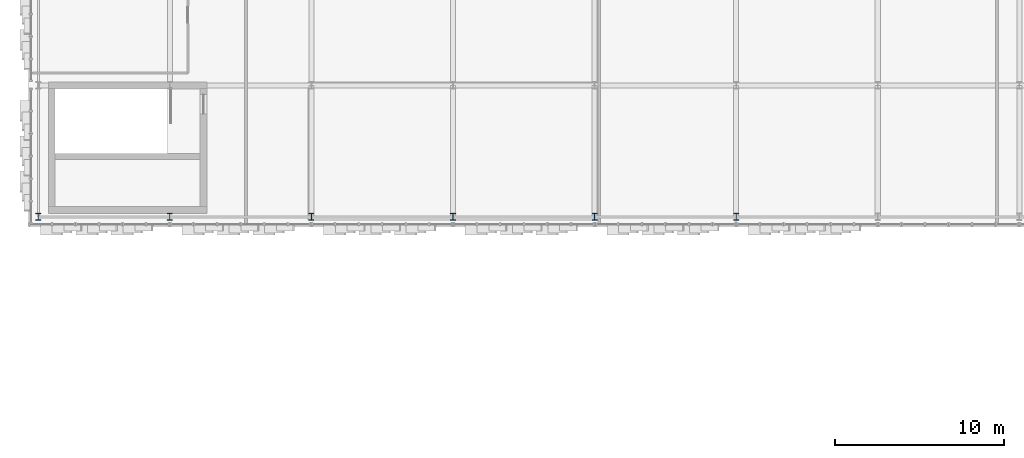
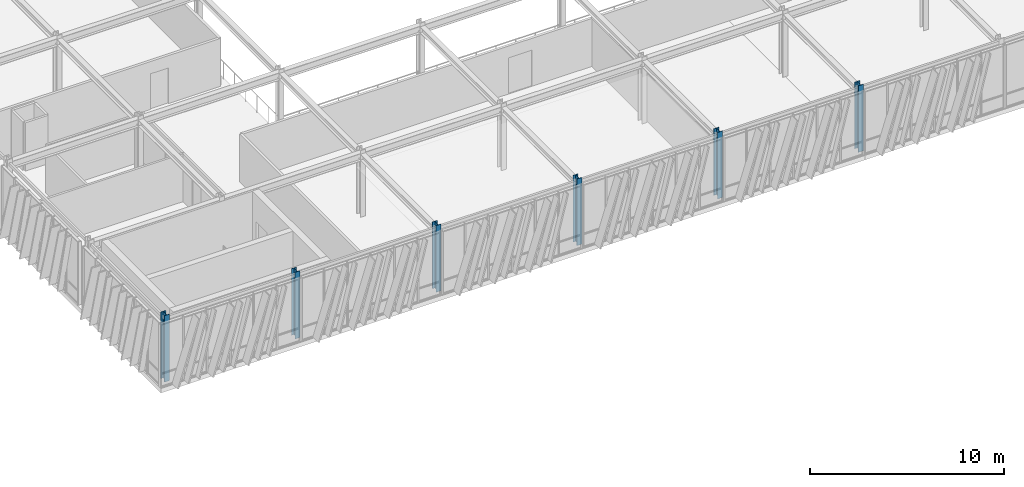
# One storey, part 2 of 123: 6 columns.
"""IFC4 building model written with IfcOpenShell, lengths in metres."""

from ifc_helpers import new_model, si_unit, direction, frame, origin, origin_2d, place, context, subcontext, project, spatial, i_section, extrude, material, material_profile, profile_set, type_object, element, save


model = new_model("IFC4")

# Units and contexts
model_context = context("Model", 3, precision=1e-05, world=origin(), true_north=direction((0.0, 1.0)))
body_context = subcontext(model_context, "Body", "Model", "MODEL_VIEW")
ifc_project = project(units=[si_unit("LENGTHUNIT", "METRE"), si_unit("AREAUNIT", "SQUARE_METRE"), si_unit("VOLUMEUNIT", "CUBIC_METRE"), si_unit("PLANEANGLEUNIT", "RADIAN"), si_unit("MASSUNIT", "GRAM", prefix="KILO")], contexts=[model_context])

# Site, building, storey
site_placement = place(None, origin())
site = spatial("IfcSite", under=ifc_project, at=site_placement, CompositionType="ELEMENT")
building_placement = place(site_placement, origin())
building = spatial("IfcBuilding", under=site, at=building_placement, Name="Zayran Congress Hotel", CompositionType="ELEMENT")
storey_placement = place(building_placement, frame((0.0, 0.0, 15.0)))
storey = spatial("IfcBuildingStorey", under=building, at=storey_placement, Name="L03", CompositionType="ELEMENT", Elevation=15.0)

# Columns
ifc_material = material(Name="Steel S355", Category="steel")
ifc_material_profile = material_profile(ifc_material, i_section(OverallWidth=0.300048828125, OverallDepth=0.39990234375, WebThickness=0.013427734375, FlangeThickness=0.02392578125, at=origin_2d()), Name="HEB 400")
ifc_profile_set = profile_set([ifc_material_profile], Name="Steel S355")
column_type = type_object("IfcColumnType", Name="TP-CL-07", PredefinedType="COLUMN", material=ifc_profile_set)
for number, where, z_axis, x_axis, name in (
    (1, (9.0, 68.199951171875, 0.0), (0.0, 0.0, 1.0), (1.0, 0.0, 0.0), "COL-V1-L03-0454"),
    (2, (16.800048828125, 68.199951171875, 0.0), (0.0, 0.0, 1.0), (1.0, 0.0, 0.0), "COL-V1-L03-0461"),
    (3, (25.199951171875, 68.199951171875, 0.0), (0.0, 0.0, 1.0), (1.0, 0.0, 0.0), "COL-V1-L03-0468"),
    (4, (33.60009765625, 68.199951171875, 0.0), (0.0, 0.0, 1.0), (1.0, 0.0, 0.0), "COL-V1-L03-0475"),
    (5, (42.0, 68.199951171875, 0.0), (0.0, 0.0, 1.0), (1.0, 0.0, 0.0), "COL-V1-L03-0480"),
    (6, (50.39990234375, 68.199951171875, 0.0), (0.0, 0.0, 1.0), (1.0, 0.0, 0.0), "COL-V1-L03-0485"),
):
    element("IfcColumn", number, at=place(storey_placement, frame(where, z_axis=z_axis, x_axis=x_axis)), inside=storey, type_object=column_type, Name=name, PredefinedType="COLUMN", context=body_context, shape_type="SweptSolid", body=[
        extrude(i_section(OverallWidth=0.300048828125, OverallDepth=0.39990234375, WebThickness=0.013427734375, FlangeThickness=0.02392578125, at=origin_2d()), origin(), (0.0, 0.0, 1.0), 4.199951171875),
    ])

save(model, "model.ifc")
